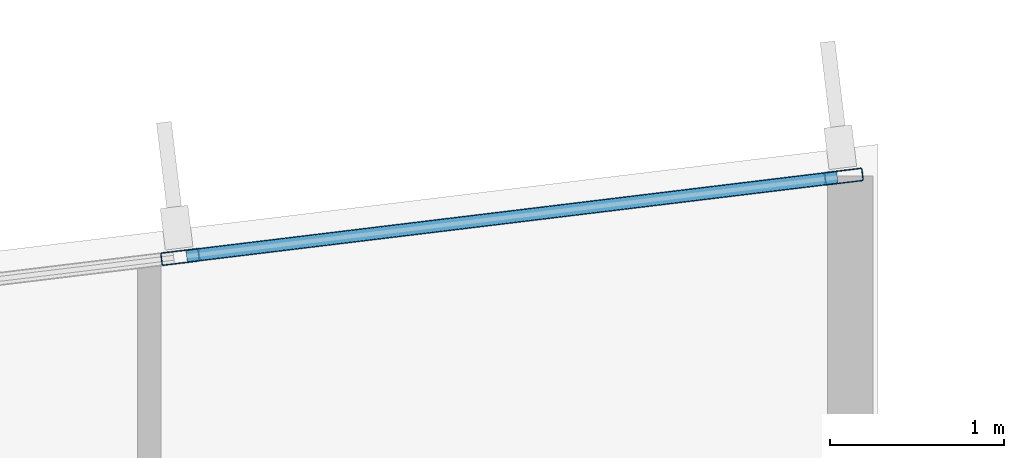
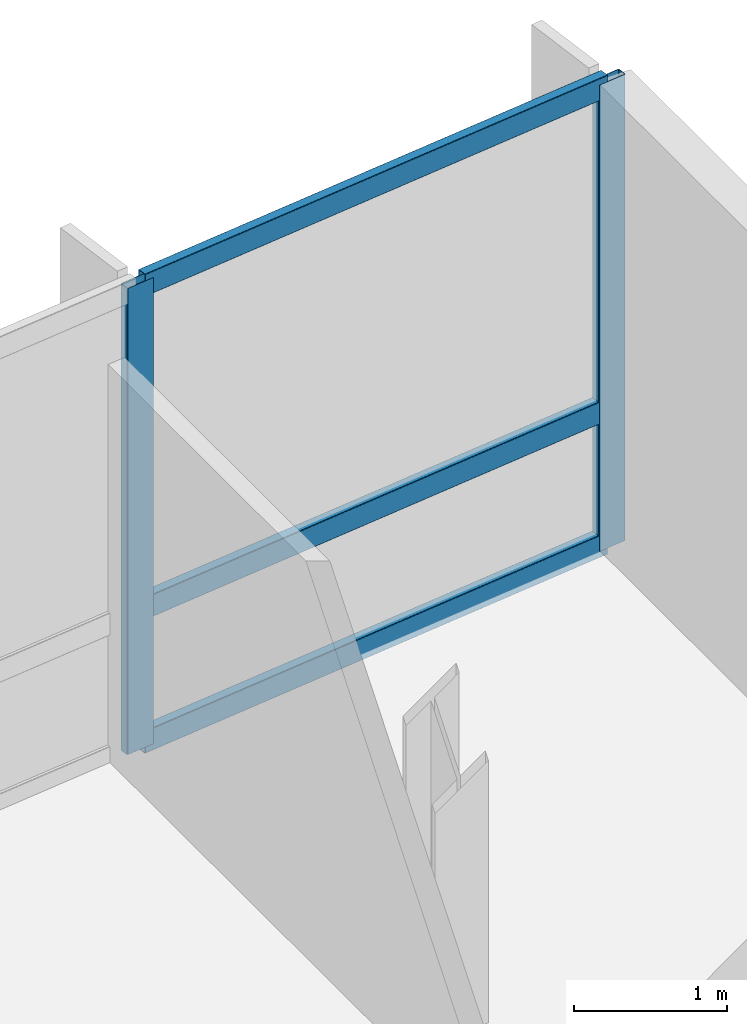
# One storey, part 7 of 17: 5 members, 1 element without a shape of its own.
"""IFC4 building model written with IfcOpenShell, lengths in metres."""

import ifcopenshell
import ifcopenshell.guid

model = None  # the IFC model being written
_history = None  # IfcOwnerHistory: only IFC2X3 demands one
_inside = {}  # id of a spatial element -> (the spatial element, [elements in it])
_under = {}  # id of a project, library or spatial element -> (it, [spatial elements below it])
_declared = {}  # id of a project -> (the project, [libraries it declares])
_typed = {}  # id of a type object -> (the type object, [elements of that type])
_made_of = {}  # id of a material, layer set ... -> (it, [elements and type objects made of it])


def new_model(schema):
    """Start an empty IFC model of exactly this schema.

    Asked for "IFC4X3", IfcOpenShell would pick the latest addendum, in which some entities
    have other attributes; the version numbers below select the first issue.
    IFC2X3 requires an IfcOwnerHistory on every rooted entity: one is made here for all.
    """
    global model, _history
    if schema == "IFC4X3":
        model = ifcopenshell.file(schema_version=(4, 3, 0, 0))
    else:
        model = ifcopenshell.file(schema=schema)
    _inside.clear()
    _under.clear()
    _declared.clear()
    _typed.clear()
    _made_of.clear()
    _history = None
    if model.schema == "IFC2X3":
        org = make("IfcOrganization", Name="unknown")
        user = make(
            "IfcPersonAndOrganization",
            ThePerson=make("IfcPerson", FamilyName="unknown"),
            TheOrganization=org,
        )
        app = make(
            "IfcApplication",
            ApplicationDeveloper=org,
            Version="unknown",
            ApplicationFullName="unknown",
            ApplicationIdentifier="unknown",
        )
        _history = make(
            "IfcOwnerHistory",
            OwningUser=user,
            OwningApplication=app,
            ChangeAction="ADDED",
            CreationDate=0,
        )
    return model


def make(cls, **values):
    """One entity of the class cls with the attributes given. An attribute that is None is left unset."""
    return model.create_entity(
        cls, **{name: value for name, value in values.items() if value is not None}
    )


def rooted(cls, **values):
    """An entity with a GlobalId (a new one), such as an element, a storey or a relation."""
    return make(cls, GlobalId=ifcopenshell.guid.new(), OwnerHistory=_history, **values)


def si_unit(unit_type, name, prefix=None):
    """IfcSIUnit, for example si_unit("LENGTHUNIT", "METRE", prefix="MILLI")."""
    return make("IfcSIUnit", UnitType=unit_type, Prefix=prefix, Name=name)


def assignment(units):
    """IfcUnitAssignment: the units of a project."""
    return None if units is None else make("IfcUnitAssignment", Units=units)


def point(xyz):
    """IfcCartesianPoint."""
    return None if xyz is None else make("IfcCartesianPoint", Coordinates=xyz)


def direction(xyz):
    """IfcDirection."""
    return None if xyz is None else make("IfcDirection", DirectionRatios=xyz)


def frame(location, z_axis=None, x_axis=None):
    """IfcAxis2Placement3D, a coordinate frame: its origin and axes. An axis left out is left unset."""
    return make(
        "IfcAxis2Placement3D",
        Location=point(location),
        Axis=direction(z_axis),
        RefDirection=direction(x_axis),
    )


def frame_2d(location, x_axis=None):
    """IfcAxis2Placement2D, a coordinate frame in the plane: its origin and x axis."""
    return make(
        "IfcAxis2Placement2D", Location=point(location), RefDirection=direction(x_axis)
    )


def origin():
    """The frame at (0, 0, 0) with its axes left unset."""
    return frame((0.0, 0.0, 0.0))


def origin_2d():
    """The frame at (0, 0) in the plane with its x axis left unset."""
    return frame_2d((0.0, 0.0))


def place(relative_to, where):
    """IfcLocalPlacement: puts the frame where relative to a parent placement (None: the world)."""
    return make(
        "IfcLocalPlacement", PlacementRelTo=relative_to, RelativePlacement=where
    )


def context(
    kind, dimensions, precision=None, world=None, true_north=None, identifier=None
):
    """IfcGeometricRepresentationContext, for example the 3D "Model" context."""
    return make(
        "IfcGeometricRepresentationContext",
        ContextIdentifier=identifier,
        ContextType=kind,
        CoordinateSpaceDimension=dimensions,
        Precision=precision,
        WorldCoordinateSystem=world,
        TrueNorth=true_north,
    )


def subcontext(parent, identifier, kind, view, scale=None):
    """IfcGeometricRepresentationSubContext, for example "Body" below "Model"."""
    return make(
        "IfcGeometricRepresentationSubContext",
        ContextIdentifier=identifier,
        ContextType=kind,
        ParentContext=parent,
        TargetScale=scale,
        TargetView=view,
    )


def project(units=None, contexts=None):
    """IfcProject with its units and contexts."""
    return rooted(
        "IfcProject",
        Name="project",
        RepresentationContexts=contexts,
        UnitsInContext=assignment(units),
    )


def spatial(cls, under=None, at=None, **own):
    """A site, building, storey or space (cls), placed at a placement, below another one or the project."""
    s = rooted(cls, ObjectPlacement=at, **own)
    if under is not None:
        _under.setdefault(under.id(), (under, []))[1].append(s)
    return s


def profile(cls, at=None, kind="AREA", **sizes):
    """A parametric profile (cls). Its sizes go by their IFC names, for example OverallWidth=200.0."""
    return make(cls, ProfileType=kind, Position=at, **sizes)


def hollow_rectangle(**sizes):
    """IfcRectangleHollowProfileDef."""
    return profile("IfcRectangleHollowProfileDef", **sizes)


def extrude(swept, where, along, depth):
    """IfcExtrudedAreaSolid: the profile swept, set in the frame where, extruded along a direction by depth."""
    return make(
        "IfcExtrudedAreaSolid",
        SweptArea=swept,
        Position=where,
        ExtrudedDirection=direction(along),
        Depth=depth,
    )


def shape(context_of_items, identifier, shape_type, items):
    """IfcShapeRepresentation: the items that make up one representation, for example the "Body"."""
    return make(
        "IfcShapeRepresentation",
        ContextOfItems=context_of_items,
        RepresentationIdentifier=identifier,
        RepresentationType=shape_type,
        Items=items,
    )


def material(Name=None, Category=None):
    """IfcMaterial."""
    return make("IfcMaterial", Name=Name, Category=Category)


def layer(
    of_material, thickness, ventilated=None, Name=None, Category=None, Priority=None
):
    """IfcMaterialLayer: one layer of a wall or slab, of a material (None: an air gap)."""
    return make(
        "IfcMaterialLayer",
        Material=of_material,
        LayerThickness=thickness,
        IsVentilated=ventilated,
        Name=Name,
        Category=Category,
        Priority=Priority,
    )


def layer_set(layers, Name=None):
    """IfcMaterialLayerSet."""
    return make("IfcMaterialLayerSet", MaterialLayers=layers, LayerSetName=Name)


def material_profile(
    of_material, cross_section, Name=None, Category=None, Priority=None
):
    """IfcMaterialProfile: a cross section and its material."""
    return make(
        "IfcMaterialProfile",
        Name=Name,
        Material=of_material,
        Profile=cross_section,
        Priority=Priority,
        Category=Category,
    )


def profile_set(profiles, Name=None, composite=None):
    """IfcMaterialProfileSet."""
    return make(
        "IfcMaterialProfileSet",
        Name=Name,
        MaterialProfiles=profiles,
        CompositeProfile=composite,
    )


def made_of(thing, what):
    """Note that an element or type object is made of a material, layer set ...; save() writes the relation."""
    if what is not None:
        _made_of.setdefault(what.id(), (what, []))[1].append(thing)
    return thing


def type_object(cls, material=None, **own):
    """A type object (cls), such as IfcWallType, which elements share."""
    return made_of(rooted(cls, **own), material)


def element(
    cls,
    number,
    at=None,
    inside=None,
    cuts=None,
    type_object=None,
    material=None,
    context=None,
    identifier="Body",
    shape_type=None,
    held_by="IfcProductDefinitionShape",
    body=None,
    shapes=None,
    **own,
):
    """One element of the class cls, such as IfcWall. Its Tag is "e" and its number.

    at: its placement. inside: the storey or other place that contains it. cuts: it is an
    opening in that element (IfcRelVoidsElement). A single representation is given by context,
    identifier, shape_type and body (its items); several are given by shapes. held_by: the class
    of the entity that holds the representations. save() writes the other relations.
    """
    e = rooted(cls, Tag="e%d" % number, ObjectPlacement=at, **own)
    if body is not None:
        shapes = [shape(context, identifier, shape_type, body)]
    if shapes is not None:
        e.Representation = make(held_by, Representations=shapes)
    if inside is not None:
        _inside.setdefault(inside.id(), (inside, []))[1].append(e)
    if cuts is not None:
        rooted(
            "IfcRelVoidsElement", RelatingBuildingElement=cuts, RelatedOpeningElement=e
        )
    if type_object is not None:
        _typed.setdefault(type_object.id(), (type_object, []))[1].append(e)
    return made_of(e, material)


def aggregate(whole, parts):
    """IfcRelAggregates: a whole, such as a stair, and the parts it consists of."""
    return rooted("IfcRelAggregates", RelatingObject=whole, RelatedObjects=parts)


def save(model, path):
    """Write the relations noted so far, then the file.

    IfcRelAggregates (storeys below a building ...), IfcRelContainedInSpatialStructure (elements
    in a storey), IfcRelDefinesByType, IfcRelAssociatesMaterial and IfcRelDeclares: one each for
    every whole, place, type object, material and project.
    """
    for whole, parts in _under.values():
        aggregate(whole, parts)
    for where, things in _inside.values():
        rooted(
            "IfcRelContainedInSpatialStructure",
            RelatedElements=things,
            RelatingStructure=where,
        )
    for kind, things in _typed.values():
        rooted("IfcRelDefinesByType", RelatedObjects=things, RelatingType=kind)
    for what, things in _made_of.values():
        rooted("IfcRelAssociatesMaterial", RelatedObjects=things, RelatingMaterial=what)
    for by, libraries in _declared.values():
        rooted("IfcRelDeclares", RelatingContext=by, RelatedDefinitions=libraries)
    model.write(path)


model = new_model("IFC4")

# Units and contexts
model_context = context("Model", 3, precision=1e-05, world=origin(), true_north=direction((0.0, 1.0)))
body_context = subcontext(model_context, "Body", "Model", "MODEL_VIEW")
ifc_project = project(units=[si_unit("LENGTHUNIT", "METRE"), si_unit("AREAUNIT", "SQUARE_METRE"), si_unit("VOLUMEUNIT", "CUBIC_METRE"), si_unit("PLANEANGLEUNIT", "RADIAN"), si_unit("MASSUNIT", "GRAM", prefix="KILO")], contexts=[model_context])

# Site, building, storey
site_placement = place(None, origin())
site = spatial("IfcSite", under=ifc_project, at=site_placement, CompositionType="ELEMENT")
building_placement = place(site_placement, origin())
building = spatial("IfcBuilding", under=site, at=building_placement, Name="Varnakote Quay Hospital", CompositionType="ELEMENT")
storey_placement = place(building_placement, frame((0.0, 0.0, 131.0)))
storey = spatial("IfcBuildingStorey", under=building, at=storey_placement, Name="L32", CompositionType="ELEMENT", Elevation=131.0)

# Curtain wall, members
ifc_material_1 = material(Name="Anodised aluminium 6063-T6 Bronze", Category="aluminium")
ifc_layer = layer(ifc_material_1, 0.205078125)
ifc_layer_set = layer_set([ifc_layer], Name="Anodised aluminium 6063-T6 Bronze")
curtain_wall_type = type_object("IfcCurtainWallType", Name="CW-SYS-3", PredefinedType="NOTDEFINED", material=ifc_layer_set)
curtain_wall_placement = place(storey_placement, origin())
curtain_wall = element("IfcCurtainWall", 1, at=curtain_wall_placement, inside=storey, type_object=curtain_wall_type, Name="L32 Unitised Bronze Curtain Wall 1", PredefinedType="NOTDEFINED")
ifc_material_2 = material(Name="Anodised aluminium 6063-T6 Bronze", Category="aluminium")
ifc_material_profile_1 = material_profile(ifc_material_2, hollow_rectangle(XDim=0.074951171875, YDim=0.219970703125, WallThickness=0.00439453125, InnerFilletRadius=0.00439453125, OuterFilletRadius=0.009033203125, at=origin_2d()), Name="CW-MULL-220x75")
ifc_profile_set_1 = profile_set([ifc_material_profile_1], Name="Anodised aluminium 6063-T6 Bronze")
member_type_1 = type_object("IfcMemberType", Name="CW-MULL-220x75", PredefinedType="MULLION", material=ifc_profile_set_1)
member_1_placement = place(storey_placement, frame((54.002685546875, 32.914794921875, 0.0), z_axis=(0.0, 0.0, 1.0), x_axis=(0.12032713492, -0.992734295067, 0.0)))
member_1 = element("IfcMember", 2, at=member_1_placement, type_object=member_type_1, Name="-3-L32-1 mullion 1", PredefinedType="MULLION", context=body_context, shape_type="SweptSolid", body=[
    extrude(hollow_rectangle(XDim=0.074951171875, YDim=0.219970703125, WallThickness=0.00439453125, InnerFilletRadius=0.00439453125, OuterFilletRadius=0.009033203125, at=origin_2d()), origin(), (0.0, 0.0, 1.0), 3.7099609375),
])
member_2_placement = place(storey_placement, frame((50.1875, 32.452392578125, 0.0), z_axis=(0.0, 0.0, 1.0), x_axis=(0.12032713492, -0.992734295067, 0.0)))
member_2 = element("IfcMember", 3, at=member_2_placement, type_object=member_type_1, Name="-3-L32-1 mullion 2", PredefinedType="MULLION", context=body_context, shape_type="SweptSolid", body=[
    extrude(hollow_rectangle(XDim=0.074951171875, YDim=0.219970703125, WallThickness=0.00439453125, InnerFilletRadius=0.00439453125, OuterFilletRadius=0.009033203125, at=origin_2d()), origin(), (0.0, 0.0, 1.0), 3.7099609375),
])
ifc_material_3 = material(Name="Anodised aluminium 6063-T6 Bronze", Category="aluminium")
ifc_material_profile_2 = material_profile(ifc_material_3, hollow_rectangle(XDim=0.074951171875, YDim=0.179931640625, WallThickness=0.004150390625, InnerFilletRadius=0.004150390625, OuterFilletRadius=0.00830078125, at=origin_2d()), Name="CW-TRAN-180x75")
ifc_profile_set_2 = profile_set([ifc_material_profile_2], Name="Anodised aluminium 6063-T6 Bronze")
member_type_2 = type_object("IfcMemberType", Name="CW-TRAN-180x75", PredefinedType="USERDEFINED", material=ifc_profile_set_2)
member_3_placement = place(storey_placement, frame((53.965576171875, 32.910400390625, 0.03759765625), z_axis=(-0.992735423717, -0.120317822859, 0.0), x_axis=(0.120317822859, -0.992735423717, 0.0)))
member_3 = element("IfcMember", 4, at=member_3_placement, type_object=member_type_2, Name="-3-L32-1 transom 1.1", ObjectType="TRANSOM", PredefinedType="USERDEFINED", context=body_context, shape_type="SweptSolid", body=[
    extrude(hollow_rectangle(XDim=0.074951171875, YDim=0.179931640625, WallThickness=0.004150390625, InnerFilletRadius=0.004150390625, OuterFilletRadius=0.00830078125, at=origin_2d()), origin(), (0.0, 0.0, 1.0), 3.76806640625),
])
member_4_placement = place(storey_placement, frame((53.965576171875, 32.910400390625, 1.10009765625), z_axis=(-0.992735423717, -0.120317822859, 0.0), x_axis=(0.120317822859, -0.992735423717, 0.0)))
member_4 = element("IfcMember", 5, at=member_4_placement, type_object=member_type_2, Name="-3-L32-1 transom 1.2", ObjectType="TRANSOM", PredefinedType="USERDEFINED", context=body_context, shape_type="SweptSolid", body=[
    extrude(hollow_rectangle(XDim=0.074951171875, YDim=0.179931640625, WallThickness=0.004150390625, InnerFilletRadius=0.004150390625, OuterFilletRadius=0.00830078125, at=origin_2d()), origin(), (0.0, 0.0, 1.0), 3.76806640625),
])
member_5_placement = place(storey_placement, frame((53.965576171875, 32.910400390625, 3.672607421875), z_axis=(-0.992735423717, -0.120317822859, 0.0), x_axis=(0.120317822859, -0.992735423717, 0.0)))
member_5 = element("IfcMember", 6, at=member_5_placement, type_object=member_type_2, Name="-3-L32-1 transom 1.3", ObjectType="TRANSOM", PredefinedType="USERDEFINED", context=body_context, shape_type="SweptSolid", body=[
    extrude(hollow_rectangle(XDim=0.074951171875, YDim=0.179931640625, WallThickness=0.004150390625, InnerFilletRadius=0.004150390625, OuterFilletRadius=0.00830078125, at=origin_2d()), origin(), (0.0, 0.0, 1.0), 3.76806640625),
])
aggregate(curtain_wall, [member_1, member_2, member_3, member_4, member_5])

save(model, "model.ifc")
